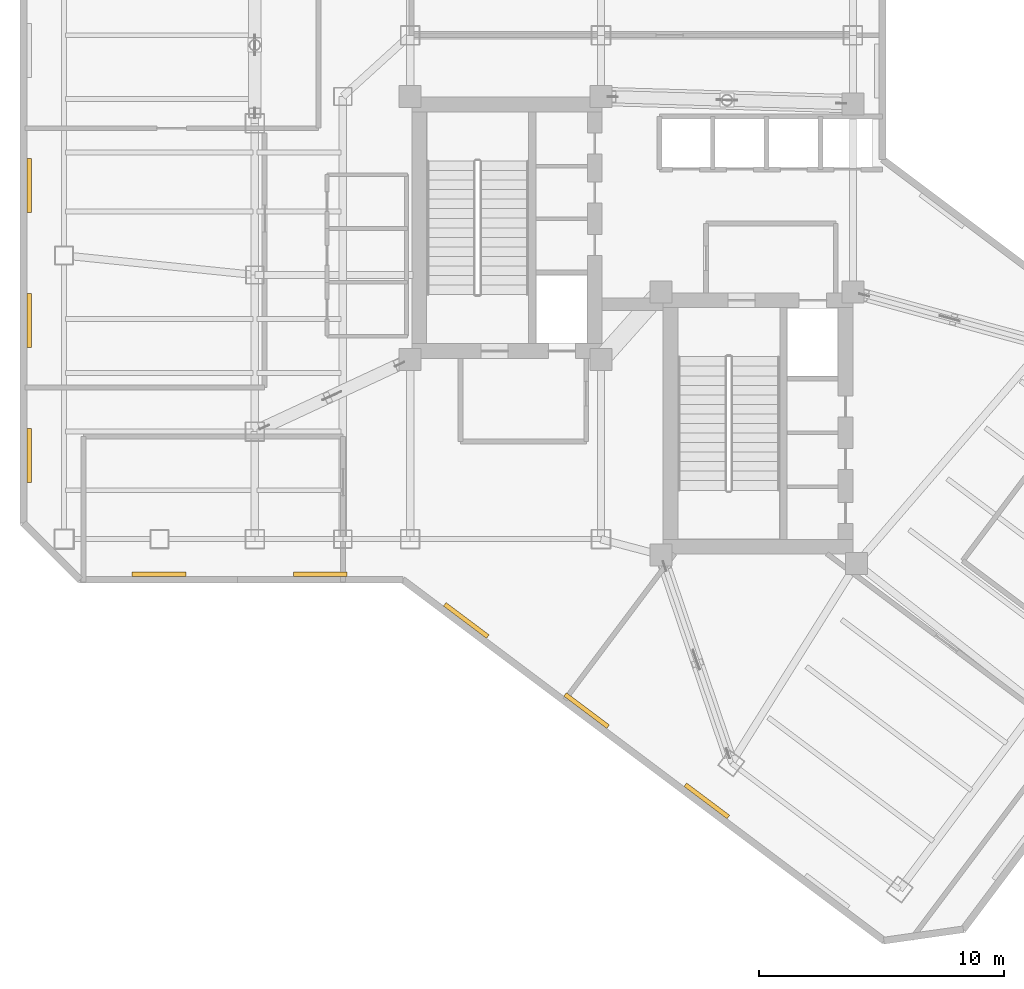
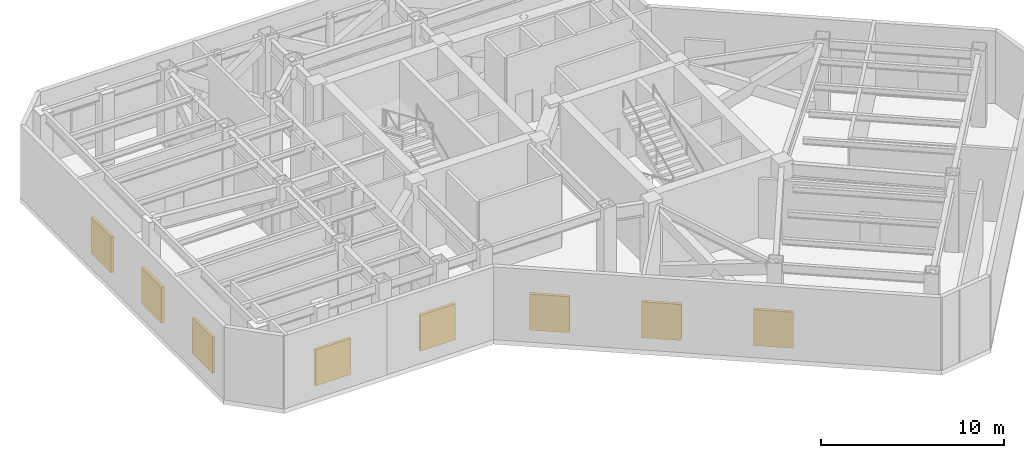
# One storey, part 10 of 12: 8 shading devices.
"""IFC4 building model written with IfcOpenShell, lengths in metres."""

from ifc_helpers import new_model, si_unit, direction, frame, origin, origin_2d, place, context, subcontext, project, spatial, rectangle, extrude, material, layer, layer_set, type_object, element, save


model = new_model("IFC4")

# Units and contexts
model_context = context("Model", 3, precision=1e-05, world=origin(), true_north=direction((0.0, 1.0)))
body_context = subcontext(model_context, "Body", "Model", "MODEL_VIEW")
ifc_project = project(units=[si_unit("LENGTHUNIT", "METRE"), si_unit("AREAUNIT", "SQUARE_METRE"), si_unit("VOLUMEUNIT", "CUBIC_METRE"), si_unit("PLANEANGLEUNIT", "RADIAN"), si_unit("MASSUNIT", "GRAM", prefix="KILO")], contexts=[model_context])

# Site, building, storey
site_placement = place(None, origin())
site = spatial("IfcSite", under=ifc_project, at=site_placement, CompositionType="ELEMENT")
building_placement = place(site_placement, origin())
building = spatial("IfcBuilding", under=site, at=building_placement, Name="Hatsunagi Terrace Concourse", CompositionType="ELEMENT")
storey_placement = place(building_placement, frame((0.0, 0.0, 181.64990234375)))
storey = spatial("IfcBuildingStorey", under=building, at=storey_placement, Name="L48", CompositionType="ELEMENT", Elevation=181.64990234375)

# Shading devices
ifc_material = material(Name="Powder-Coated Aluminium Acoustic Louvre", Category="aluminium")
ifc_layer = layer(ifc_material, 0.179931640625)
ifc_layer_set = layer_set([ifc_layer], Name="PlantAcousticLouvre_180")
shading_device_type = type_object("IfcShadingDeviceType", Name="PlantAcousticLouvre_180", PredefinedType="JALOUSIE", material=ifc_layer_set)
for number, where, z_axis, x_axis, name in (
    (1, (37.678955078125, 14.5029296875, 0.60009765625), (0.0, 0.0, 1.0), (-0.800005211305, 0.599993051531, 0.0), "Plant Acoustic Louvre L48-05-2"),
    (2, (32.761962890625, 18.19189453125, 0.60009765625), (0.0, 0.0, 1.0), (-0.800005211305, 0.599993051531, 0.0), "Plant Acoustic Louvre L48-05-3"),
    (3, (27.843994140625, 21.8798828125, 0.60009765625), (0.0, 0.0, 1.0), (-0.800005211305, 0.599993051531, 0.0), "Plant Acoustic Louvre L48-05-4"),
    (4, (21.873046875, 23.77001953125, 0.60009765625), (0.0, 0.0, 1.0), (-1.0, 0.0, 0.0), "Plant Acoustic Louvre L48-06-1"),
    (5, (15.279052734375, 23.77001953125, 0.60009765625), (0.0, 0.0, 1.0), (-1.0, 0.0, 0.0), "Plant Acoustic Louvre L48-07-1"),
    (6, (9.969970703125, 28.618896484375, 0.60009765625), (0.0, 0.0, 1.0), (0.0, 1.0, 0.0), "Plant Acoustic Louvre L48-09-1"),
    (7, (9.969970703125, 34.138916015625, 0.60009765625), (0.0, 0.0, 1.0), (0.0, 1.0, 0.0), "Plant Acoustic Louvre L48-09-2"),
    (8, (9.969970703125, 39.659912109375, 0.60009765625), (0.0, 0.0, 1.0), (0.0, 1.0, 0.0), "Plant Acoustic Louvre L48-09-3"),
):
    element("IfcShadingDevice", number, at=place(storey_placement, frame(where, z_axis=z_axis, x_axis=x_axis)), inside=storey, type_object=shading_device_type, Name=name, PredefinedType="JALOUSIE", context=body_context, shape_type="SweptSolid", body=[
        extrude(rectangle(XDim=2.199951171875, YDim=0.179931640625, at=origin_2d()), origin(), (0.0, 0.0, 1.0), 2.39990234375),
    ])

save(model, "model.ifc")
